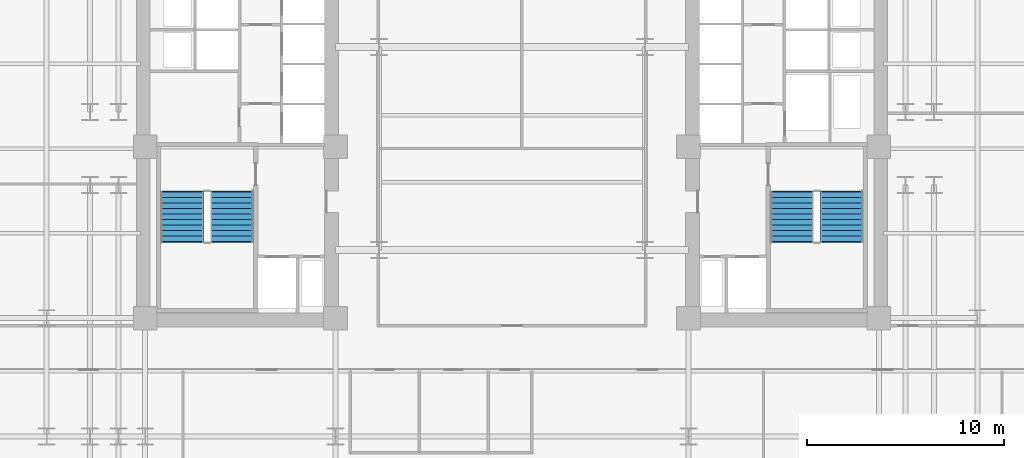
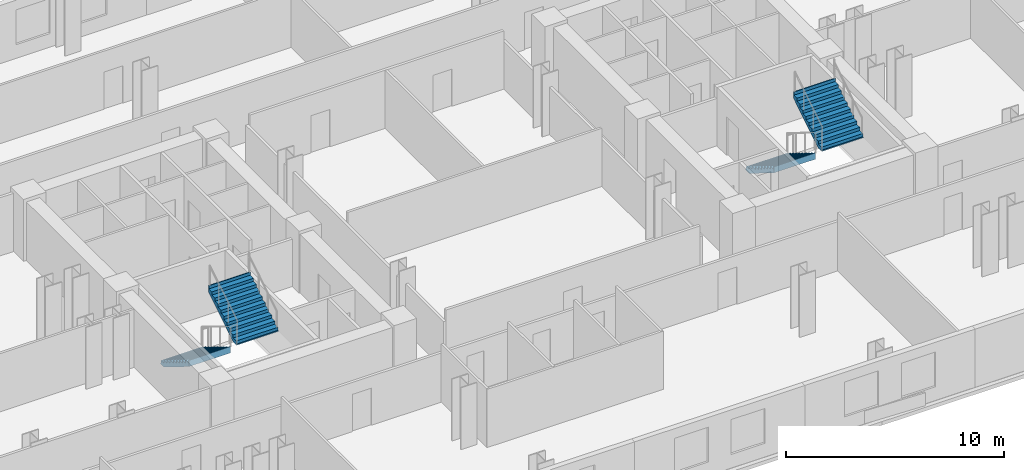
# One storey, part 8 of 10: 4 stair flights, 2 elements without a shape of their own.
"""IFC4 building model written with IfcOpenShell, lengths in metres."""

from ifc_helpers import new_model, si_unit, direction, frame, origin, place, context, subcontext, project, spatial, polyline, outline, extrude, material, layer, layer_set, type_object, element, aggregate, save


model = new_model("IFC4")

# Units and contexts
model_context = context("Model", 3, precision=1e-05, world=origin(), true_north=direction((0.0, 1.0)))
body_context = subcontext(model_context, "Body", "Model", "MODEL_VIEW")
ifc_project = project(units=[si_unit("LENGTHUNIT", "METRE"), si_unit("AREAUNIT", "SQUARE_METRE"), si_unit("VOLUMEUNIT", "CUBIC_METRE"), si_unit("PLANEANGLEUNIT", "RADIAN"), si_unit("MASSUNIT", "GRAM", prefix="KILO")], contexts=[model_context])

# Site, building, storey
site_placement = place(None, origin())
site = spatial("IfcSite", under=ifc_project, at=site_placement, CompositionType="ELEMENT")
building_placement = place(site_placement, origin())
building = spatial("IfcBuilding", under=site, at=building_placement, Name="Velakula Bourse", CompositionType="ELEMENT")
storey_placement = place(building_placement, frame((0.0, 0.0, 55.35009765625)))
storey = spatial("IfcBuildingStorey", under=building, at=storey_placement, Name="L14", CompositionType="ELEMENT", Elevation=55.35009765625)

# Stair, stair flights
ifc_material = material(Name="Concrete M45 (fck 45 MPa)", Category="concrete")
stair_type = type_object("IfcStairType", Name="STR-DOG-390", PredefinedType="HALF_TURN_STAIR", material=ifc_material)
stair_1_placement = place(storey_placement, origin())
stair_1 = element("IfcStair", 1, at=stair_1_placement, inside=storey, type_object=stair_type, Name="L14 West Core Exit Stair ST-W1", PredefinedType="HALF_TURN_STAIR")
ifc_layer = layer(ifc_material, 0.195068359375, Name="Concrete M45 (fck 45 MPa)", Category="concrete")
ifc_layer_set = layer_set([ifc_layer], Name="Concrete M45 (fck 45 MPa)")
stair_flight_type = type_object("IfcStairFlightType", Name="FLT-DOG-390", PredefinedType="STRAIGHT", material=ifc_layer_set)
stair_flight_1_placement = place(storey_placement, frame((-16.720947265625, -2.199951171875, 0.0), z_axis=(0.0, 0.0, 1.0), x_axis=(0.0, -1.0, 0.0)))
stair_flight_1 = element("IfcStairFlight", 2, at=stair_flight_1_placement, type_object=stair_flight_type, Name="ST-W1 flight 1", NumberOfRisers=10, NumberOfTreads=9, PredefinedType="STRAIGHT", RiserHeight=0.1725, TreadLength=0.28, context=body_context, shape_type="SweptSolid", body=[
    extrude(outline(polyline([(-0.044921875, -0.0400390625), (-0.044921875, -0.036865234375), (-0.044921875, -0.033935546875), (-0.044921875, -0.03076171875), (-0.044921875, -0.027587890625), (-0.044921875, -0.024658203125), (-0.044921875, -0.021484375), (-0.044921875, -0.0185546875), (-0.044921875, -0.015380859375), (-0.044921875, -0.01220703125), (-0.044921875, -0.00927734375), (-0.044921875, -0.006103515625), (-0.044921875, -0.003173828125), (-0.044921875, 0.0), (0.0, 0.0), (0.0, 0.172607421875), (0.280029296875, 0.172607421875), (0.280029296875, 0.344970703125), (0.56005859375, 0.344970703125), (0.56005859375, 0.517578125), (0.840087890625, 0.517578125), (0.840087890625, 0.68994140625), (1.1201171875, 0.68994140625), (1.1201171875, 0.862548828125), (1.39990234375, 0.862548828125), (1.39990234375, 1.034912109375), (1.679931640625, 1.034912109375), (1.679931640625, 1.20751953125), (1.9599609375, 1.20751953125), (1.9599609375, 1.3798828125), (2.239990234375, 1.3798828125), (2.239990234375, 1.552490234375), (2.52001953125, 1.552490234375), (2.52001953125, 1.72509765625), (2.56494140625, 1.72509765625), (2.56494140625, 1.7001953125), (2.56494140625, 1.67529296875), (2.56494140625, 1.650390625), (2.56494140625, 1.62548828125), (2.56494140625, 1.6005859375), (2.56494140625, 1.57568359375), (2.56494140625, 1.55078125), (2.56494140625, 1.52587890625), (2.56494140625, 1.5009765625), (2.56494140625, 1.47607421875), (2.56494140625, 1.451171875), (2.56494140625, 1.42626953125), (2.56494140625, 1.4013671875), (2.56494140625, 1.37646484375), (0.285888671875, -0.0400390625), (-0.044921875, -0.0400390625)])), frame((0.0, 1.09912109375, 0.0), z_axis=(0.0, -1.0, 0.0), x_axis=(1.0, 0.0, 0.0)), (0.0, 0.0, 1.0), 2.197998046875),
])
stair_flight_2_placement = place(storey_placement, frame((-14.198974609375, -4.719970703125, 1.724853515625), z_axis=(0.0, 0.0, 1.0), x_axis=(0.0, 1.0, 0.0)))
stair_flight_2 = element("IfcStairFlight", 3, at=stair_flight_2_placement, type_object=stair_flight_type, Name="ST-W1 flight 2", NumberOfRisers=10, NumberOfTreads=9, PredefinedType="STRAIGHT", RiserHeight=0.1725, TreadLength=0.28, context=body_context, shape_type="SweptSolid", body=[
    extrude(outline(polyline([(-0.044921875, -0.0400390625), (-0.044921875, -0.036865234375), (-0.044921875, -0.033935546875), (-0.044921875, -0.03076171875), (-0.044921875, -0.027587890625), (-0.044921875, -0.024658203125), (-0.044921875, -0.021484375), (-0.044921875, -0.0185546875), (-0.044921875, -0.015380859375), (-0.044921875, -0.01220703125), (-0.044921875, -0.00927734375), (-0.044921875, -0.006103515625), (-0.044921875, -0.003173828125), (-0.044921875, 0.0), (0.0, 0.0), (0.0, 0.172607421875), (0.280029296875, 0.172607421875), (0.280029296875, 0.344970703125), (0.56005859375, 0.344970703125), (0.56005859375, 0.517578125), (0.840087890625, 0.517578125), (0.840087890625, 0.68994140625), (1.1201171875, 0.68994140625), (1.1201171875, 0.862548828125), (1.39990234375, 0.862548828125), (1.39990234375, 1.034912109375), (1.679931640625, 1.034912109375), (1.679931640625, 1.20751953125), (1.9599609375, 1.20751953125), (1.9599609375, 1.3798828125), (2.239990234375, 1.3798828125), (2.239990234375, 1.552490234375), (2.52001953125, 1.552490234375), (2.52001953125, 1.72509765625), (2.56494140625, 1.72509765625), (2.56494140625, 1.7001953125), (2.56494140625, 1.67529296875), (2.56494140625, 1.650390625), (2.56494140625, 1.62548828125), (2.56494140625, 1.6005859375), (2.56494140625, 1.57568359375), (2.56494140625, 1.55078125), (2.56494140625, 1.52587890625), (2.56494140625, 1.5009765625), (2.56494140625, 1.47607421875), (2.56494140625, 1.451171875), (2.56494140625, 1.42626953125), (2.56494140625, 1.4013671875), (2.56494140625, 1.37646484375), (0.285888671875, -0.0400390625), (-0.044921875, -0.0400390625)])), frame((0.0, 1.09912109375, 0.0), z_axis=(0.0, -1.0, 0.0), x_axis=(1.0, 0.0, 0.0)), (0.0, 0.0, 1.0), 2.197998046875),
])
aggregate(stair_1, [stair_flight_1, stair_flight_2])

stair_2_placement = place(storey_placement, origin())
stair_2 = element("IfcStair", 4, at=stair_2_placement, inside=storey, type_object=stair_type, Name="L14 East Core Exit Stair ST-E1", PredefinedType="HALF_TURN_STAIR")
stair_flight_3_placement = place(storey_placement, frame((14.198974609375, -2.199951171875, 0.0), z_axis=(0.0, 0.0, 1.0), x_axis=(0.0, -1.0, 0.0)))
stair_flight_3 = element("IfcStairFlight", 5, at=stair_flight_3_placement, type_object=stair_flight_type, Name="ST-E1 flight 1", NumberOfRisers=10, NumberOfTreads=9, PredefinedType="STRAIGHT", RiserHeight=0.1725, TreadLength=0.28, context=body_context, shape_type="SweptSolid", body=[
    extrude(outline(polyline([(-0.044921875, -0.0400390625), (-0.044921875, -0.036865234375), (-0.044921875, -0.033935546875), (-0.044921875, -0.03076171875), (-0.044921875, -0.027587890625), (-0.044921875, -0.024658203125), (-0.044921875, -0.021484375), (-0.044921875, -0.0185546875), (-0.044921875, -0.015380859375), (-0.044921875, -0.01220703125), (-0.044921875, -0.00927734375), (-0.044921875, -0.006103515625), (-0.044921875, -0.003173828125), (-0.044921875, 0.0), (0.0, 0.0), (0.0, 0.172607421875), (0.280029296875, 0.172607421875), (0.280029296875, 0.344970703125), (0.56005859375, 0.344970703125), (0.56005859375, 0.517578125), (0.840087890625, 0.517578125), (0.840087890625, 0.68994140625), (1.1201171875, 0.68994140625), (1.1201171875, 0.862548828125), (1.39990234375, 0.862548828125), (1.39990234375, 1.034912109375), (1.679931640625, 1.034912109375), (1.679931640625, 1.20751953125), (1.9599609375, 1.20751953125), (1.9599609375, 1.3798828125), (2.239990234375, 1.3798828125), (2.239990234375, 1.552490234375), (2.52001953125, 1.552490234375), (2.52001953125, 1.72509765625), (2.56494140625, 1.72509765625), (2.56494140625, 1.7001953125), (2.56494140625, 1.67529296875), (2.56494140625, 1.650390625), (2.56494140625, 1.62548828125), (2.56494140625, 1.6005859375), (2.56494140625, 1.57568359375), (2.56494140625, 1.55078125), (2.56494140625, 1.52587890625), (2.56494140625, 1.5009765625), (2.56494140625, 1.47607421875), (2.56494140625, 1.451171875), (2.56494140625, 1.42626953125), (2.56494140625, 1.4013671875), (2.56494140625, 1.37646484375), (0.285888671875, -0.0400390625), (-0.044921875, -0.0400390625)])), frame((0.0, 1.09912109375, 0.0), z_axis=(0.0, -1.0, 0.0), x_axis=(1.0, 0.0, 0.0)), (0.0, 0.0, 1.0), 2.197998046875),
])
stair_flight_4_placement = place(storey_placement, frame((16.720947265625, -4.719970703125, 1.724853515625), z_axis=(0.0, 0.0, 1.0), x_axis=(0.0, 1.0, 0.0)))
stair_flight_4 = element("IfcStairFlight", 6, at=stair_flight_4_placement, type_object=stair_flight_type, Name="ST-E1 flight 2", NumberOfRisers=10, NumberOfTreads=9, PredefinedType="STRAIGHT", RiserHeight=0.1725, TreadLength=0.28, context=body_context, shape_type="SweptSolid", body=[
    extrude(outline(polyline([(-0.044921875, -0.0400390625), (-0.044921875, -0.036865234375), (-0.044921875, -0.033935546875), (-0.044921875, -0.03076171875), (-0.044921875, -0.027587890625), (-0.044921875, -0.024658203125), (-0.044921875, -0.021484375), (-0.044921875, -0.0185546875), (-0.044921875, -0.015380859375), (-0.044921875, -0.01220703125), (-0.044921875, -0.00927734375), (-0.044921875, -0.006103515625), (-0.044921875, -0.003173828125), (-0.044921875, 0.0), (0.0, 0.0), (0.0, 0.172607421875), (0.280029296875, 0.172607421875), (0.280029296875, 0.344970703125), (0.56005859375, 0.344970703125), (0.56005859375, 0.517578125), (0.840087890625, 0.517578125), (0.840087890625, 0.68994140625), (1.1201171875, 0.68994140625), (1.1201171875, 0.862548828125), (1.39990234375, 0.862548828125), (1.39990234375, 1.034912109375), (1.679931640625, 1.034912109375), (1.679931640625, 1.20751953125), (1.9599609375, 1.20751953125), (1.9599609375, 1.3798828125), (2.239990234375, 1.3798828125), (2.239990234375, 1.552490234375), (2.52001953125, 1.552490234375), (2.52001953125, 1.72509765625), (2.56494140625, 1.72509765625), (2.56494140625, 1.7001953125), (2.56494140625, 1.67529296875), (2.56494140625, 1.650390625), (2.56494140625, 1.62548828125), (2.56494140625, 1.6005859375), (2.56494140625, 1.57568359375), (2.56494140625, 1.55078125), (2.56494140625, 1.52587890625), (2.56494140625, 1.5009765625), (2.56494140625, 1.47607421875), (2.56494140625, 1.451171875), (2.56494140625, 1.42626953125), (2.56494140625, 1.4013671875), (2.56494140625, 1.37646484375), (0.285888671875, -0.0400390625), (-0.044921875, -0.0400390625)])), frame((0.0, 1.09912109375, 0.0), z_axis=(0.0, -1.0, 0.0), x_axis=(1.0, 0.0, 0.0)), (0.0, 0.0, 1.0), 2.197998046875),
])
aggregate(stair_2, [stair_flight_3, stair_flight_4])

save(model, "model.ifc")
